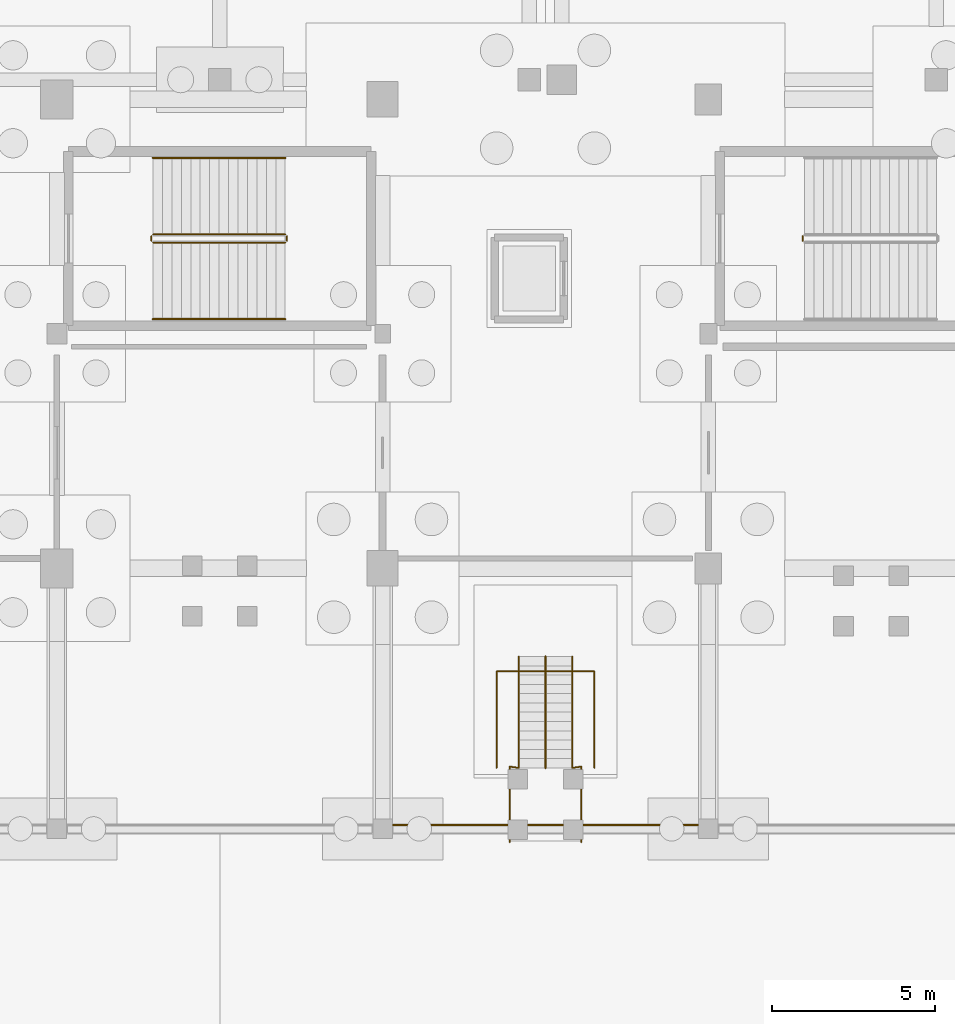
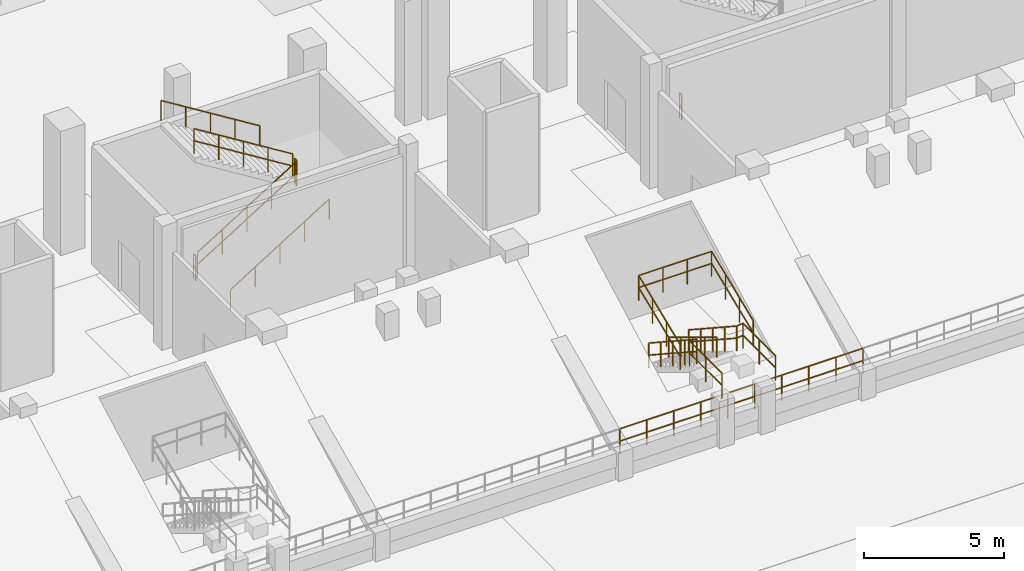
# One storey, part 64 of 68: 12 railings.
"""IFC4 building model written with IfcOpenShell, lengths in metres."""

from ifc_helpers import new_model, si_unit, direction, frame, origin, origin_2d, place, context, subcontext, project, spatial, circle, extrude, material, layer, layer_set, type_object, element, save


model = new_model("IFC4")

# Units and contexts
model_context = context("Model", 3, precision=1e-05, world=origin(), true_north=direction((0.0, 1.0)))
body_context = subcontext(model_context, "Body", "Model", "MODEL_VIEW")
ifc_project = project(units=[si_unit("LENGTHUNIT", "METRE"), si_unit("AREAUNIT", "SQUARE_METRE"), si_unit("VOLUMEUNIT", "CUBIC_METRE"), si_unit("PLANEANGLEUNIT", "RADIAN"), si_unit("MASSUNIT", "GRAM", prefix="KILO")], contexts=[model_context])

# Site, building, storey
site_placement = place(None, origin())
site = spatial("IfcSite", under=ifc_project, at=site_placement, CompositionType="ELEMENT")
building_placement = place(site_placement, origin())
building = spatial("IfcBuilding", under=site, at=building_placement, Name="Candeia Ridge Stadium", CompositionType="ELEMENT")
storey_placement = place(building_placement, origin())
storey = spatial("IfcBuildingStorey", under=building, at=storey_placement, Name="L00", CompositionType="ELEMENT", Elevation=0.0)

# Railings
ifc_material_1 = material(Name="Galvanized Powder-Coated Steel", Category="steel")
ifc_layer_1 = layer(ifc_material_1, 0.074951171875, Name="Galvanized Powder-Coated Steel", Category="steel")
ifc_layer_set_1 = layer_set([ifc_layer_1], Name="Galvanized Powder-Coated Steel")
railing_type_1 = type_object("IfcRailingType", Name="Spectator Bowl Front Guardrail 1120", PredefinedType="GUARDRAIL", material=ifc_layer_set_1)
railing_1_placement = place(storey_placement, frame((121.0, 124.719970703125, 0.85009765625)))
element("IfcRailing", 1, at=railing_1_placement, inside=storey, type_object=railing_type_1, Name="Stand T1 front safety guardrail bay 03", PredefinedType="GUARDRAIL", context=body_context, shape_type="SweptSolid", body=[
    extrude(circle(Radius=0.02392578125, at=origin_2d()), frame((0.0, 0.0, 1.09619140625), z_axis=(-1.0, 0.0, 0.0), x_axis=(0.0, -1.0, 0.0)), (0.0, 0.0, 1.0), 10.0),
    extrude(circle(Radius=0.02392578125, at=origin_2d()), frame((0.0, 0.0, 0.56005859375), z_axis=(-1.0, 0.0, 0.0), x_axis=(0.0, -1.0, 0.0)), (0.0, 0.0, 1.0), 10.0),
    extrude(circle(Radius=0.02099609375, at=origin_2d()), origin(), (0.0, 0.0, 1.0), 1.072021484375),
    extrude(circle(Radius=0.02099609375, at=origin_2d()), frame((-1.111083984375, 0.0, 0.0)), (0.0, 0.0, 1.0), 1.072021484375),
    extrude(circle(Radius=0.02099609375, at=origin_2d()), frame((-2.22216796875, 0.0, 0.0)), (0.0, 0.0, 1.0), 1.072021484375),
    extrude(circle(Radius=0.02099609375, at=origin_2d()), frame((-3.333251953125, 0.0, 0.0)), (0.0, 0.0, 1.0), 1.072021484375),
    extrude(circle(Radius=0.02099609375, at=origin_2d()), frame((-4.4443359375, 0.0, 0.0)), (0.0, 0.0, 1.0), 1.072021484375),
    extrude(circle(Radius=0.02099609375, at=origin_2d()), frame((-5.5556640625, 0.0, 0.0)), (0.0, 0.0, 1.0), 1.072021484375),
    extrude(circle(Radius=0.02099609375, at=origin_2d()), frame((-6.666748046875, 0.0, 0.0)), (0.0, 0.0, 1.0), 1.072021484375),
    extrude(circle(Radius=0.02099609375, at=origin_2d()), frame((-7.77783203125, 0.0, 0.0)), (0.0, 0.0, 1.0), 1.072021484375),
    extrude(circle(Radius=0.02099609375, at=origin_2d()), frame((-8.888916015625, 0.0, 0.0)), (0.0, 0.0, 1.0), 1.072021484375),
    extrude(circle(Radius=0.02099609375, at=origin_2d()), frame((-10.0, 0.0, 0.0)), (0.0, 0.0, 1.0), 1.072021484375),
])
ifc_material_2 = material(Name="Brushed Stainless Steel", Category="steel")
ifc_layer_2 = layer(ifc_material_2, 0.048095703125, Name="Brushed Stainless Steel", Category="steel")
ifc_layer_set_2 = layer_set([ifc_layer_2], Name="Brushed Stainless Steel")
railing_type_2 = type_object("IfcRailingType", Name="Stair Wall & Flight Handrail 900", PredefinedType="HANDRAIL", material=ifc_layer_set_2)
railing_2_placement = place(storey_placement, frame((103.949951171875, 140.25, 0.179931640625)))
element("IfcRailing", 2, at=railing_2_placement, inside=storey, type_object=railing_type_2, Name="L00 ST17 stair handrail 1", PredefinedType="HANDRAIL", context=body_context, shape_type="SweptSolid", body=[
    extrude(circle(Radius=0.02392578125, at=origin_2d()), frame((0.0, 0.0, 0.8759765625), z_axis=(0.849641744969, 0.0, 0.527360318194), x_axis=(0.0, 1.0, 0.0)), (0.0, 0.0, 1.0), 4.778564453125),
    extrude(circle(Radius=0.02099609375, at=origin_2d()), origin(), (0.0, 0.0, 1.0), 0.851806640625),
    extrude(circle(Radius=0.02099609375, at=origin_2d()), frame((1.01513671875, 0.0, 0.6298828125)), (0.0, 0.0, 1.0), 0.851806640625),
    extrude(circle(Radius=0.02099609375, at=origin_2d()), frame((2.030029296875, 0.0, 1.260009765625)), (0.0, 0.0, 1.0), 0.851806640625),
    extrude(circle(Radius=0.02099609375, at=origin_2d()), frame((3.044921875, 0.0, 1.89013671875)), (0.0, 0.0, 1.0), 0.851806640625),
    extrude(circle(Radius=0.02099609375, at=origin_2d()), frame((4.06005859375, 0.0, 2.52001953125)), (0.0, 0.0, 1.0), 0.851806640625),
])
railing_3_placement = place(storey_placement, frame((108.010009765625, 145.199951171875, 2.8798828125)))
element("IfcRailing", 3, at=railing_3_placement, inside=storey, type_object=railing_type_2, Name="L00 ST17 stair handrail 2", PredefinedType="HANDRAIL", context=body_context, shape_type="SweptSolid", body=[
    extrude(circle(Radius=0.02392578125, at=origin_2d()), frame((0.0, 0.0, 0.8759765625), z_axis=(-0.849641744969, 0.0, 0.527360318194), x_axis=(0.0, -1.0, 0.0)), (0.0, 0.0, 1.0), 4.778564453125),
    extrude(circle(Radius=0.02099609375, at=origin_2d()), origin(), (0.0, 0.0, 1.0), 0.851806640625),
    extrude(circle(Radius=0.02099609375, at=origin_2d()), frame((-1.01513671875, 0.0, 0.6298828125)), (0.0, 0.0, 1.0), 0.851806640625),
    extrude(circle(Radius=0.02099609375, at=origin_2d()), frame((-2.030029296875, 0.0, 1.260009765625)), (0.0, 0.0, 1.0), 0.851806640625),
    extrude(circle(Radius=0.02099609375, at=origin_2d()), frame((-3.044921875, 0.0, 1.89013671875)), (0.0, 0.0, 1.0), 0.851806640625),
    extrude(circle(Radius=0.02099609375, at=origin_2d()), frame((-4.06005859375, 0.0, 2.52001953125)), (0.0, 0.0, 1.0), 0.851806640625),
])
railing_4_placement = place(storey_placement, frame((116.0, 129.89208984375, 0.17236328125)))
element("IfcRailing", 4, at=railing_4_placement, inside=storey, type_object=railing_type_2, Name="Vomitory stair handrail VS02", PredefinedType="HANDRAIL", context=body_context, shape_type="SweptSolid", body=[
    extrude(circle(Radius=0.02392578125, at=origin_2d()), frame((0.0, 0.0, 0.8759765625), z_axis=(0.0, -0.855774125036, 0.517349637014), x_axis=(1.0, 0.0, 0.0)), (0.0, 0.0, 1.0), 3.99658203125),
    extrude(circle(Radius=0.02099609375, at=origin_2d()), origin(), (0.0, 0.0, 1.0), 0.851806640625),
    extrude(circle(Radius=0.02099609375, at=origin_2d()), frame((0.0, -0.85498046875, 0.516845703125)), (0.0, 0.0, 1.0), 0.851806640625),
    extrude(circle(Radius=0.02099609375, at=origin_2d()), frame((0.0, -1.7099609375, 1.03369140625)), (0.0, 0.0, 1.0), 0.851806640625),
    extrude(circle(Radius=0.02099609375, at=origin_2d()), frame((0.0, -2.565185546875, 1.55078125)), (0.0, 0.0, 1.0), 0.851806640625),
    extrude(circle(Radius=0.02099609375, at=origin_2d()), frame((0.0, -3.420166015625, 2.067626953125)), (0.0, 0.0, 1.0), 0.851806640625),
])
ifc_layer_3 = layer(ifc_material_1, 0.06005859375, Name="Galvanized Powder-Coated Steel", Category="steel")
ifc_layer_set_3 = layer_set([ifc_layer_3], Name="Galvanized Powder-Coated Steel")
railing_type_3 = type_object("IfcRailingType", Name="Stair Well Guardrail 1100", PredefinedType="GUARDRAIL", material=ifc_layer_set_3)
railing_5_placement = place(storey_placement, frame((123.89990234375, 142.64990234375, 0.0)))
element("IfcRailing", 5, at=railing_5_placement, inside=storey, type_object=railing_type_3, Name="L00 ST10 stair guard 4", PredefinedType="GUARDRAIL", context=body_context, shape_type="SweptSolid", body=[
    extrude(circle(Radius=0.02392578125, at=origin_2d()), frame((0.0, 0.0, 1.076171875), z_axis=(0.0, 1.0, 0.0), x_axis=(-1.0, 0.0, 0.0)), (0.0, 0.0, 1.0), 0.150146484375),
    extrude(circle(Radius=0.02392578125, at=origin_2d()), frame((0.0, 0.0, 0.550048828125), z_axis=(0.0, 1.0, 0.0), x_axis=(-1.0, 0.0, 0.0)), (0.0, 0.0, 1.0), 0.150146484375),
    extrude(circle(Radius=0.02099609375, at=origin_2d()), origin(), (0.0, 0.0, 1.0), 1.052001953125),
    extrude(circle(Radius=0.02099609375, at=origin_2d()), frame((0.0, 0.150146484375, 0.0)), (0.0, 0.0, 1.0), 1.052001953125),
])
railing_6_placement = place(storey_placement, frame((103.949951171875, 142.60009765625, 0.179931640625)))
element("IfcRailing", 6, at=railing_6_placement, inside=storey, type_object=railing_type_3, Name="L00 ST17 stair guard 1", PredefinedType="GUARDRAIL", context=body_context, shape_type="SweptSolid", body=[
    extrude(circle(Radius=0.02392578125, at=origin_2d()), frame((0.0, 0.0, 1.076171875), z_axis=(0.849641744969, 0.0, 0.527360318194), x_axis=(0.0, 1.0, 0.0)), (0.0, 0.0, 1.0), 4.778564453125),
    extrude(circle(Radius=0.02392578125, at=origin_2d()), frame((0.0, 0.0, 0.550048828125), z_axis=(0.849641744969, 0.0, 0.527360318194), x_axis=(0.0, 1.0, 0.0)), (0.0, 0.0, 1.0), 4.778564453125),
    extrude(circle(Radius=0.02099609375, at=origin_2d()), origin(), (0.0, 0.0, 1.0), 1.052001953125),
    extrude(circle(Radius=0.02099609375, at=origin_2d()), frame((1.01513671875, 0.0, 0.6298828125)), (0.0, 0.0, 1.0), 1.052001953125),
    extrude(circle(Radius=0.02099609375, at=origin_2d()), frame((2.030029296875, 0.0, 1.260009765625)), (0.0, 0.0, 1.0), 1.052001953125),
    extrude(circle(Radius=0.02099609375, at=origin_2d()), frame((3.044921875, 0.0, 1.89013671875)), (0.0, 0.0, 1.0), 1.052001953125),
    extrude(circle(Radius=0.02099609375, at=origin_2d()), frame((4.06005859375, 0.0, 2.52001953125)), (0.0, 0.0, 1.0), 1.052001953125),
])
railing_7_placement = place(storey_placement, frame((108.06005859375, 142.64990234375, 2.699951171875)))
element("IfcRailing", 7, at=railing_7_placement, inside=storey, type_object=railing_type_3, Name="L00 ST17 stair guard 2", PredefinedType="GUARDRAIL", context=body_context, shape_type="SweptSolid", body=[
    extrude(circle(Radius=0.02392578125, at=origin_2d()), frame((0.0, 0.0, 1.076171875), z_axis=(0.0, 1.0, 0.0), x_axis=(-1.0, 0.0, 0.0)), (0.0, 0.0, 1.0), 0.150146484375),
    extrude(circle(Radius=0.02392578125, at=origin_2d()), frame((0.0, 0.0, 0.550048828125), z_axis=(0.0, 1.0, 0.0), x_axis=(-1.0, 0.0, 0.0)), (0.0, 0.0, 1.0), 0.150146484375),
    extrude(circle(Radius=0.02099609375, at=origin_2d()), origin(), (0.0, 0.0, 1.0), 1.052001953125),
    extrude(circle(Radius=0.02099609375, at=origin_2d()), frame((0.0, 0.150146484375, 0.0)), (0.0, 0.0, 1.0), 1.052001953125),
])
railing_8_placement = place(storey_placement, frame((108.010009765625, 142.85009765625, 2.8798828125)))
element("IfcRailing", 8, at=railing_8_placement, inside=storey, type_object=railing_type_3, Name="L00 ST17 stair guard 3", PredefinedType="GUARDRAIL", context=body_context, shape_type="SweptSolid", body=[
    extrude(circle(Radius=0.02392578125, at=origin_2d()), frame((0.0, 0.0, 1.076171875), z_axis=(-0.849641744969, 0.0, 0.527360318194), x_axis=(0.0, -1.0, 0.0)), (0.0, 0.0, 1.0), 4.778564453125),
    extrude(circle(Radius=0.02392578125, at=origin_2d()), frame((0.0, 0.0, 0.550048828125), z_axis=(-0.849641744969, 0.0, 0.527360318194), x_axis=(0.0, -1.0, 0.0)), (0.0, 0.0, 1.0), 4.778564453125),
    extrude(circle(Radius=0.02099609375, at=origin_2d()), origin(), (0.0, 0.0, 1.0), 1.052001953125),
    extrude(circle(Radius=0.02099609375, at=origin_2d()), frame((-1.01513671875, 0.0, 0.6298828125)), (0.0, 0.0, 1.0), 1.052001953125),
    extrude(circle(Radius=0.02099609375, at=origin_2d()), frame((-2.030029296875, 0.0, 1.260009765625)), (0.0, 0.0, 1.0), 1.052001953125),
    extrude(circle(Radius=0.02099609375, at=origin_2d()), frame((-3.044921875, 0.0, 1.89013671875)), (0.0, 0.0, 1.0), 1.052001953125),
    extrude(circle(Radius=0.02099609375, at=origin_2d()), frame((-4.06005859375, 0.0, 2.52001953125)), (0.0, 0.0, 1.0), 1.052001953125),
])
railing_9_placement = place(storey_placement, frame((103.89990234375, 142.64990234375, 0.0)))
element("IfcRailing", 9, at=railing_9_placement, inside=storey, type_object=railing_type_3, Name="L00 ST17 stair guard 4", PredefinedType="GUARDRAIL", context=body_context, shape_type="SweptSolid", body=[
    extrude(circle(Radius=0.02392578125, at=origin_2d()), frame((0.0, 0.0, 1.076171875), z_axis=(0.0, 1.0, 0.0), x_axis=(-1.0, 0.0, 0.0)), (0.0, 0.0, 1.0), 0.150146484375),
    extrude(circle(Radius=0.02392578125, at=origin_2d()), frame((0.0, 0.0, 0.550048828125), z_axis=(0.0, 1.0, 0.0), x_axis=(-1.0, 0.0, 0.0)), (0.0, 0.0, 1.0), 0.150146484375),
    extrude(circle(Radius=0.02099609375, at=origin_2d()), origin(), (0.0, 0.0, 1.0), 1.052001953125),
    extrude(circle(Radius=0.02099609375, at=origin_2d()), frame((0.0, 0.150146484375, 0.0)), (0.0, 0.0, 1.0), 1.052001953125),
])
ifc_layer_4 = layer(ifc_material_1, 0.070068359375, Name="Galvanized Powder-Coated Steel", Category="steel")
ifc_layer_set_4 = layer_set([ifc_layer_4], Name="Galvanized Powder-Coated Steel")
railing_type_4 = type_object("IfcRailingType", Name="Vomitory Portal Guardrail 1100", PredefinedType="GUARDRAIL", material=ifc_layer_set_4)
railing_10_placement = place(storey_placement, frame((117.5, 126.471923828125, 2.239990234375)))
element("IfcRailing", 10, at=railing_10_placement, inside=storey, type_object=railing_type_4, Name="Vomitory portal guardrail VS02", PredefinedType="GUARDRAIL", context=body_context, shape_type="SweptSolid", body=[
    extrude(circle(Radius=0.02392578125, at=origin_2d()), frame((0.0, 0.0, 1.076171875), z_axis=(0.0, 0.92538053309, 0.379039402937), x_axis=(-1.0, 0.0, 0.0)), (0.0, 0.0, 1.0), 3.203125),
    extrude(circle(Radius=0.02392578125, at=origin_2d()), frame((0.0, 0.0, 0.550048828125), z_axis=(0.0, 0.92538053309, 0.379039402937), x_axis=(-1.0, 0.0, 0.0)), (0.0, 0.0, 1.0), 3.203125),
    extrude(circle(Radius=0.02392578125, at=origin_2d()), frame((0.0, 2.964111328125, 2.2900390625), z_axis=(-1.0, 0.0, 0.0), x_axis=(0.0, -1.0, 0.0)), (0.0, 0.0, 1.0), 3.0),
    extrude(circle(Radius=0.02392578125, at=origin_2d()), frame((0.0, 2.964111328125, 1.76416015625), z_axis=(-1.0, 0.0, 0.0), x_axis=(0.0, -1.0, 0.0)), (0.0, 0.0, 1.0), 3.0),
    extrude(circle(Radius=0.02392578125, at=origin_2d()), frame((-3.0, 2.964111328125, 2.2900390625), z_axis=(0.0, -0.92538053309, -0.379039402937), x_axis=(1.0, 0.0, 0.0)), (0.0, 0.0, 1.0), 3.203125),
    extrude(circle(Radius=0.02392578125, at=origin_2d()), frame((-3.0, 2.964111328125, 1.76416015625), z_axis=(0.0, -0.92538053309, -0.379039402937), x_axis=(1.0, 0.0, 0.0)), (0.0, 0.0, 1.0), 3.203125),
    extrude(circle(Radius=0.02099609375, at=origin_2d()), origin(), (0.0, 0.0, 1.0), 1.052001953125),
    extrude(circle(Radius=0.02099609375, at=origin_2d()), frame((0.0, 0.988037109375, 0.40478515625)), (0.0, 0.0, 1.0), 1.052001953125),
    extrude(circle(Radius=0.02099609375, at=origin_2d()), frame((0.0, 1.97607421875, 0.809326171875)), (0.0, 0.0, 1.0), 1.052001953125),
    extrude(circle(Radius=0.02099609375, at=origin_2d()), frame((0.0, 2.964111328125, 1.214111328125)), (0.0, 0.0, 1.0), 1.052001953125),
    extrude(circle(Radius=0.02099609375, at=origin_2d()), frame((-1.0, 2.964111328125, 1.214111328125)), (0.0, 0.0, 1.0), 1.052001953125),
    extrude(circle(Radius=0.02099609375, at=origin_2d()), frame((-2.0, 2.964111328125, 1.214111328125)), (0.0, 0.0, 1.0), 1.052001953125),
    extrude(circle(Radius=0.02099609375, at=origin_2d()), frame((-3.0, 2.964111328125, 1.214111328125)), (0.0, 0.0, 1.0), 1.052001953125),
    extrude(circle(Radius=0.02099609375, at=origin_2d()), frame((-3.0, 1.97607421875, 0.809326171875)), (0.0, 0.0, 1.0), 1.052001953125),
    extrude(circle(Radius=0.02099609375, at=origin_2d()), frame((-3.0, 0.988037109375, 0.40478515625)), (0.0, 0.0, 1.0), 1.052001953125),
    extrude(circle(Radius=0.02099609375, at=origin_2d()), frame((-3.0, 0.0, 0.0)), (0.0, 0.0, 1.0), 1.052001953125),
])
railing_11_placement = place(storey_placement, frame((116.820068359375, 129.89208984375, 0.0)))
element("IfcRailing", 11, at=railing_11_placement, inside=storey, type_object=railing_type_4, Name="Vomitory stair & landing side guardrail VS02-L", PredefinedType="GUARDRAIL", context=body_context, shape_type="SweptSolid", body=[
    extrude(circle(Radius=0.02392578125, at=origin_2d()), frame((0.0, 0.0, 1.076171875), z_axis=(0.0, -0.836551734384, 0.547887940822), x_axis=(1.0, 0.0, 0.0)), (0.0, 0.0, 1.0), 4.08837890625),
    extrude(circle(Radius=0.02392578125, at=origin_2d()), frame((0.0, 0.0, 0.550048828125), z_axis=(0.0, -0.836551734384, 0.547887940822), x_axis=(1.0, 0.0, 0.0)), (0.0, 0.0, 1.0), 4.08837890625),
    extrude(circle(Radius=0.02392578125, at=origin_2d()), frame((0.0, -3.420166015625, 3.31591796875), z_axis=(0.989932225045, 0.141542183877, 0.0), x_axis=(-0.141542183877, 0.989932225045, 0.0)), (0.0, 0.0, 1.0), 0.282958984375),
    extrude(circle(Radius=0.02392578125, at=origin_2d()), frame((0.0, -3.420166015625, 2.7900390625), z_axis=(0.989932225045, 0.141542183877, 0.0), x_axis=(-0.141542183877, 0.989932225045, 0.0)), (0.0, 0.0, 1.0), 0.282958984375),
    extrude(circle(Radius=0.02392578125, at=origin_2d()), frame((0.280029296875, -3.380126953125, 3.31591796875), z_axis=(0.0, -1.0, 0.0), x_axis=(1.0, 0.0, 0.0)), (0.0, 0.0, 1.0), 2.320068359375),
    extrude(circle(Radius=0.02392578125, at=origin_2d()), frame((0.280029296875, -3.380126953125, 2.7900390625), z_axis=(0.0, -1.0, 0.0), x_axis=(1.0, 0.0, 0.0)), (0.0, 0.0, 1.0), 2.320068359375),
    extrude(circle(Radius=0.02099609375, at=origin_2d()), origin(), (0.0, 0.0, 1.0), 1.052001953125),
    extrude(circle(Radius=0.02099609375, at=origin_2d()), frame((0.0, -0.85498046875, 0.56005859375)), (0.0, 0.0, 1.0), 1.052001953125),
    extrude(circle(Radius=0.02099609375, at=origin_2d()), frame((0.0, -1.7099609375, 1.1201171875)), (0.0, 0.0, 1.0), 1.052001953125),
    extrude(circle(Radius=0.02099609375, at=origin_2d()), frame((0.0, -2.565185546875, 1.679931640625)), (0.0, 0.0, 1.0), 1.052001953125),
    extrude(circle(Radius=0.02099609375, at=origin_2d()), frame((0.0, -3.420166015625, 2.239990234375)), (0.0, 0.0, 1.0), 1.052001953125),
    extrude(circle(Radius=0.02099609375, at=origin_2d()), frame((0.280029296875, -3.380126953125, 2.239990234375)), (0.0, 0.0, 1.0), 1.052001953125),
    extrude(circle(Radius=0.02099609375, at=origin_2d()), frame((0.280029296875, -4.5400390625, 2.239990234375)), (0.0, 0.0, 1.0), 1.052001953125),
    extrude(circle(Radius=0.02099609375, at=origin_2d()), frame((0.280029296875, -5.7001953125, 2.239990234375)), (0.0, 0.0, 1.0), 1.052001953125),
])
railing_12_placement = place(storey_placement, frame((115.179931640625, 129.89208984375, 0.0)))
element("IfcRailing", 12, at=railing_12_placement, inside=storey, type_object=railing_type_4, Name="Vomitory stair & landing side guardrail VS02-R", PredefinedType="GUARDRAIL", context=body_context, shape_type="SweptSolid", body=[
    extrude(circle(Radius=0.02392578125, at=origin_2d()), frame((0.0, 0.0, 1.076171875), z_axis=(0.0, -0.836551734384, 0.547887940822), x_axis=(1.0, 0.0, 0.0)), (0.0, 0.0, 1.0), 4.08837890625),
    extrude(circle(Radius=0.02392578125, at=origin_2d()), frame((0.0, 0.0, 0.550048828125), z_axis=(0.0, -0.836551734384, 0.547887940822), x_axis=(1.0, 0.0, 0.0)), (0.0, 0.0, 1.0), 4.08837890625),
    extrude(circle(Radius=0.02392578125, at=origin_2d()), frame((0.0, -3.420166015625, 3.31591796875), z_axis=(-0.989932225045, 0.141542183877, 0.0), x_axis=(-0.141542183877, -0.989932225045, 0.0)), (0.0, 0.0, 1.0), 0.282958984375),
    extrude(circle(Radius=0.02392578125, at=origin_2d()), frame((0.0, -3.420166015625, 2.7900390625), z_axis=(-0.989932225045, 0.141542183877, 0.0), x_axis=(-0.141542183877, -0.989932225045, 0.0)), (0.0, 0.0, 1.0), 0.282958984375),
    extrude(circle(Radius=0.02392578125, at=origin_2d()), frame((-0.280029296875, -3.380126953125, 3.31591796875), z_axis=(0.0, -1.0, 0.0), x_axis=(1.0, 0.0, 0.0)), (0.0, 0.0, 1.0), 2.320068359375),
    extrude(circle(Radius=0.02392578125, at=origin_2d()), frame((-0.280029296875, -3.380126953125, 2.7900390625), z_axis=(0.0, -1.0, 0.0), x_axis=(1.0, 0.0, 0.0)), (0.0, 0.0, 1.0), 2.320068359375),
    extrude(circle(Radius=0.02099609375, at=origin_2d()), origin(), (0.0, 0.0, 1.0), 1.052001953125),
    extrude(circle(Radius=0.02099609375, at=origin_2d()), frame((0.0, -0.85498046875, 0.56005859375)), (0.0, 0.0, 1.0), 1.052001953125),
    extrude(circle(Radius=0.02099609375, at=origin_2d()), frame((0.0, -1.7099609375, 1.1201171875)), (0.0, 0.0, 1.0), 1.052001953125),
    extrude(circle(Radius=0.02099609375, at=origin_2d()), frame((0.0, -2.565185546875, 1.679931640625)), (0.0, 0.0, 1.0), 1.052001953125),
    extrude(circle(Radius=0.02099609375, at=origin_2d()), frame((0.0, -3.420166015625, 2.239990234375)), (0.0, 0.0, 1.0), 1.052001953125),
    extrude(circle(Radius=0.02099609375, at=origin_2d()), frame((-0.280029296875, -3.380126953125, 2.239990234375)), (0.0, 0.0, 1.0), 1.052001953125),
    extrude(circle(Radius=0.02099609375, at=origin_2d()), frame((-0.280029296875, -4.5400390625, 2.239990234375)), (0.0, 0.0, 1.0), 1.052001953125),
    extrude(circle(Radius=0.02099609375, at=origin_2d()), frame((-0.280029296875, -5.7001953125, 2.239990234375)), (0.0, 0.0, 1.0), 1.052001953125),
])

save(model, "model.ifc")
